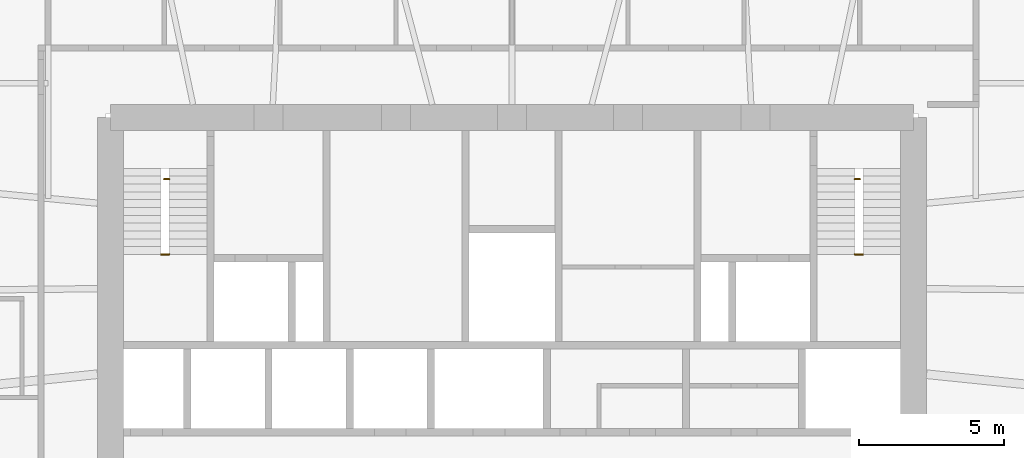
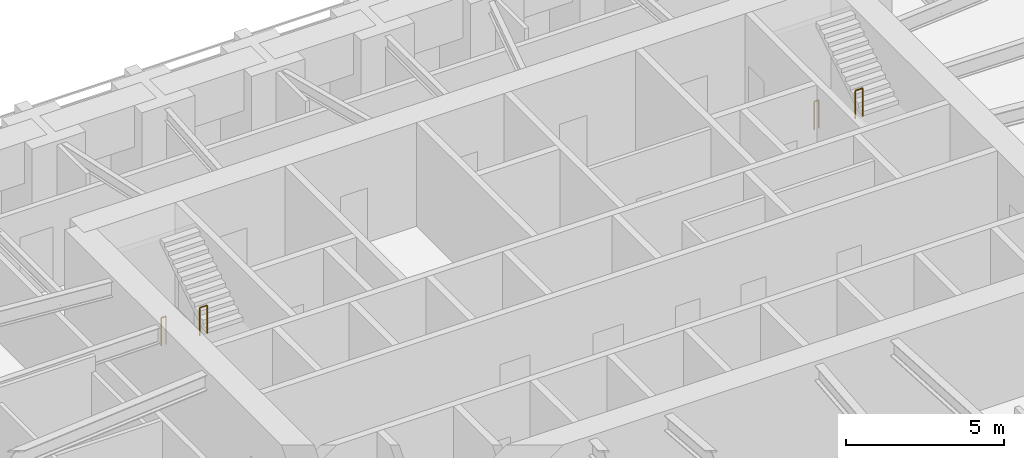
# One storey, part 17 of 18: 4 railings.
"""IFC4 building model written with IfcOpenShell, lengths in metres."""

from ifc_helpers import new_model, si_unit, direction, frame, origin, origin_2d, place, context, subcontext, project, spatial, circle, extrude, material, type_object, element, save


model = new_model("IFC4")

# Units and contexts
model_context = context("Model", 3, precision=1e-05, world=origin(), true_north=direction((0.0, 1.0)))
body_context = subcontext(model_context, "Body", "Model", "MODEL_VIEW")
ifc_project = project(units=[si_unit("LENGTHUNIT", "METRE"), si_unit("AREAUNIT", "SQUARE_METRE"), si_unit("VOLUMEUNIT", "CUBIC_METRE"), si_unit("PLANEANGLEUNIT", "RADIAN"), si_unit("MASSUNIT", "GRAM", prefix="KILO")], contexts=[model_context])

# Site, building, storey
site_placement = place(None, origin())
site = spatial("IfcSite", under=ifc_project, at=site_placement, CompositionType="ELEMENT")
building_placement = place(site_placement, origin())
building = spatial("IfcBuilding", under=site, at=building_placement, Name="Isbrekke Arena Tower", CompositionType="ELEMENT")
storey_placement = place(building_placement, frame((0.0, 0.0, 28.0)))
storey = spatial("IfcBuildingStorey", under=building, at=storey_placement, Name="L04", CompositionType="ELEMENT", Elevation=28.0)

# Railings
ifc_material = material(Name="Steel stair guard, vertical bars, steel handrail", Category="steel")
railing_type = type_object("IfcRailingType", Name="GR3 STAIR WELL GUARD 1100", PredefinedType="GUARDRAIL", material=ifc_material)
railing_1_placement = place(storey_placement, frame((-12.0, 21.72998046875, 0.0)))
element("IfcRailing", 1, at=railing_1_placement, inside=storey, type_object=railing_type, Name="GR3 stair well guard ST1 L04", PredefinedType="GUARDRAIL", context=body_context, shape_type="SweptSolid", body=[
    extrude(circle(Radius=0.02392578125, at=origin_2d()), frame((0.0, 0.0, 1.076171875), z_axis=(1.0, 0.0, 0.0), x_axis=(0.0, 1.0, 0.0)), (0.0, 0.0, 1.0), 0.175048828125),
    extrude(circle(Radius=0.02099609375, at=origin_2d()), origin(), (0.0, 0.0, 1.0), 1.052001953125),
    extrude(circle(Radius=0.02099609375, at=origin_2d()), frame((0.175048828125, 0.0, 0.0)), (0.0, 0.0, 1.0), 1.052001953125),
])
railing_2_placement = place(storey_placement, frame((-12.10009765625, 19.1298828125, 2.0)))
element("IfcRailing", 2, at=railing_2_placement, inside=storey, type_object=railing_type, Name="GR3 stair well guard ST1 L04", PredefinedType="GUARDRAIL", context=body_context, shape_type="SweptSolid", body=[
    extrude(circle(Radius=0.02392578125, at=origin_2d()), frame((0.0, 0.0, 1.076171875), z_axis=(1.0, 0.0, 0.0), x_axis=(0.0, 1.0, 0.0)), (0.0, 0.0, 1.0), 0.275146484375),
    extrude(circle(Radius=0.02099609375, at=origin_2d()), origin(), (0.0, 0.0, 1.0), 1.052001953125),
    extrude(circle(Radius=0.02099609375, at=origin_2d()), frame((0.275146484375, 0.0, 0.0)), (0.0, 0.0, 1.0), 1.052001953125),
])
railing_3_placement = place(storey_placement, frame((11.824951171875, 21.72998046875, 0.0)))
element("IfcRailing", 3, at=railing_3_placement, inside=storey, type_object=railing_type, Name="GR3 stair well guard ST2 L04", PredefinedType="GUARDRAIL", context=body_context, shape_type="SweptSolid", body=[
    extrude(circle(Radius=0.02392578125, at=origin_2d()), frame((0.0, 0.0, 1.076171875), z_axis=(1.0, 0.0, 0.0), x_axis=(0.0, 1.0, 0.0)), (0.0, 0.0, 1.0), 0.175048828125),
    extrude(circle(Radius=0.02099609375, at=origin_2d()), origin(), (0.0, 0.0, 1.0), 1.052001953125),
    extrude(circle(Radius=0.02099609375, at=origin_2d()), frame((0.175048828125, 0.0, 0.0)), (0.0, 0.0, 1.0), 1.052001953125),
])
railing_4_placement = place(storey_placement, frame((11.824951171875, 19.1298828125, 2.0)))
element("IfcRailing", 4, at=railing_4_placement, inside=storey, type_object=railing_type, Name="GR3 stair well guard ST2 L04", PredefinedType="GUARDRAIL", context=body_context, shape_type="SweptSolid", body=[
    extrude(circle(Radius=0.02392578125, at=origin_2d()), frame((0.0, 0.0, 1.076171875), z_axis=(1.0, 0.0, 0.0), x_axis=(0.0, 1.0, 0.0)), (0.0, 0.0, 1.0), 0.275146484375),
    extrude(circle(Radius=0.02099609375, at=origin_2d()), origin(), (0.0, 0.0, 1.0), 1.052001953125),
    extrude(circle(Radius=0.02099609375, at=origin_2d()), frame((0.275146484375, 0.0, 0.0)), (0.0, 0.0, 1.0), 1.052001953125),
])

save(model, "model.ifc")
